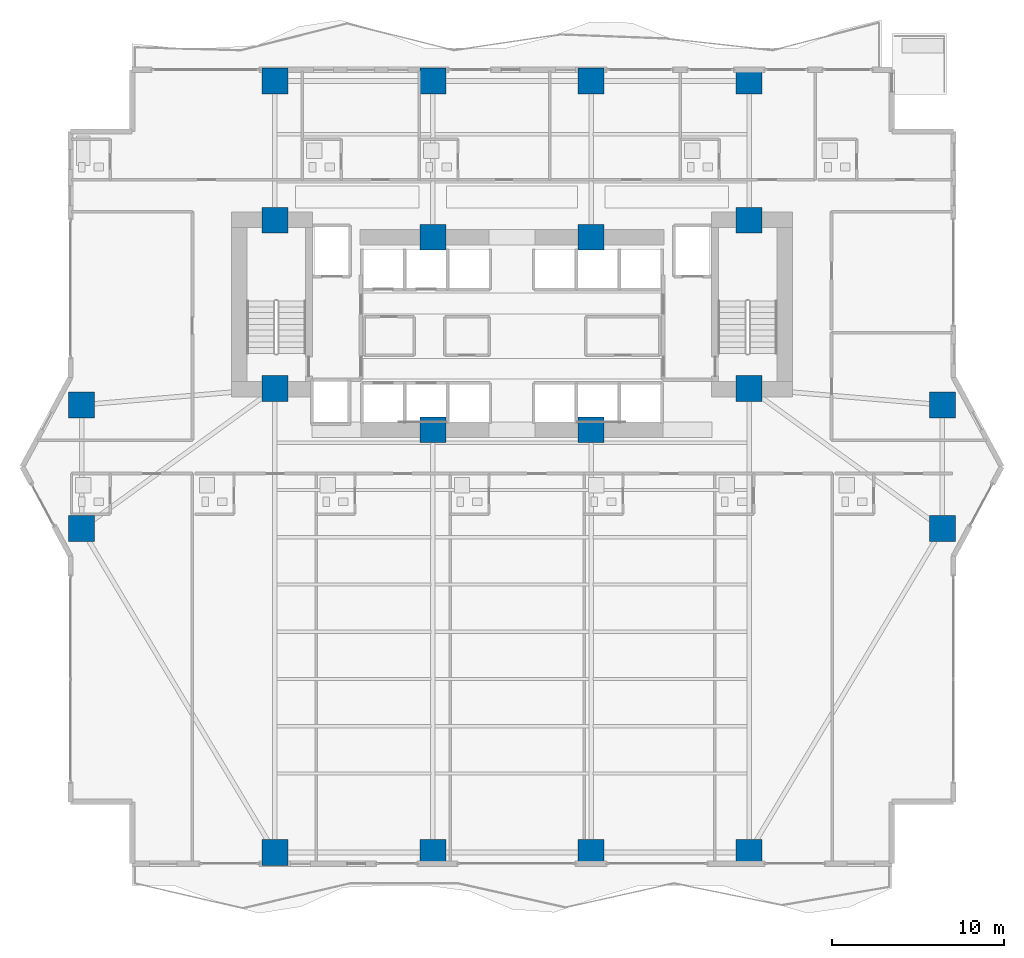
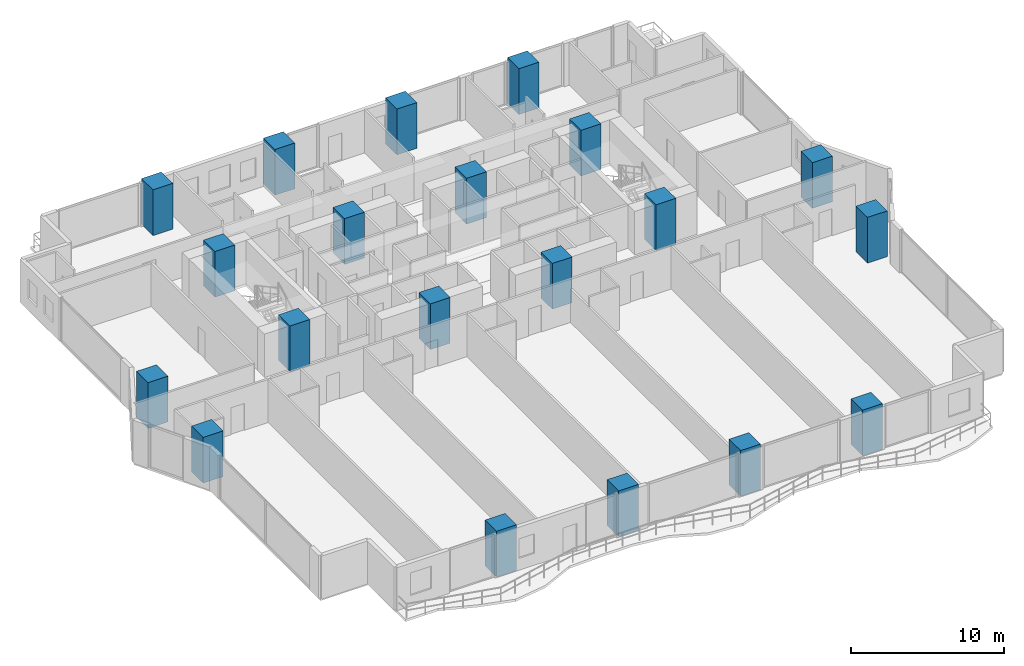
# One storey, part 1 of 28: 20 columns.
"""IFC4 building model written with IfcOpenShell, lengths in metres."""

from ifc_helpers import new_model, si_unit, direction, frame, origin, origin_2d, place, context, subcontext, project, spatial, rectangle, extrude, material, material_profile, profile_set, type_object, element, save


model = new_model("IFC4")

# Units and contexts
model_context = context("Model", 3, precision=1e-05, world=origin(), true_north=direction((0.0, 1.0)))
body_context = subcontext(model_context, "Body", "Model", "MODEL_VIEW")
ifc_project = project(units=[si_unit("LENGTHUNIT", "METRE"), si_unit("AREAUNIT", "SQUARE_METRE"), si_unit("VOLUMEUNIT", "CUBIC_METRE"), si_unit("PLANEANGLEUNIT", "RADIAN"), si_unit("MASSUNIT", "GRAM", prefix="KILO")], contexts=[model_context])

# Site, building, storey
site_placement = place(None, origin())
site = spatial("IfcSite", under=ifc_project, at=site_placement, CompositionType="ELEMENT")
building_placement = place(site_placement, origin())
building = spatial("IfcBuilding", under=site, at=building_placement, Name="Zuhayl Quay Hotel", CompositionType="ELEMENT")
storey_placement = place(building_placement, frame((0.0, 0.0, 56.800048828125)))
storey = spatial("IfcBuildingStorey", under=building, at=storey_placement, Name="L13", CompositionType="ELEMENT", Elevation=56.800048828125)

# Columns
ifc_material = material(Name="Concrete C70/85", Category="concrete")
ifc_material_profile_1 = material_profile(ifc_material, rectangle(XDim=1.5, YDim=1.5, at=origin_2d()), Name="RC1500X1500")
ifc_profile_set_1 = profile_set([ifc_material_profile_1], Name="Concrete C70/85")
column_type_1 = type_object("IfcColumnType", Name="CL_CC1_1500", PredefinedType="COLUMN", material=ifc_profile_set_1)
for number, where, z_axis, x_axis, name in (
    (1, (-13.800048828125, 14.35009765625, 0.0), (0.0, 0.0, 1.0), (1.0, 0.0, 0.0), "L13 Core Column CC_NW"),
    (2, (-4.60009765625, 13.35009765625, 0.0), (0.0, 0.0, 1.0), (1.0, 0.0, 0.0), "L13 Core Column CC_CNW"),
    (3, (4.60009765625, 13.35009765625, 0.0), (0.0, 0.0, 1.0), (1.0, 0.0, 0.0), "L13 Core Column CC_CNE"),
    (4, (13.800048828125, 14.35009765625, 0.0), (0.0, 0.0, 1.0), (1.0, 0.0, 0.0), "L13 Core Column CC_NE"),
    (5, (-13.800048828125, 4.550048828125, 0.0), (0.0, 0.0, 1.0), (1.0, 0.0, 0.0), "L13 Core Column CC_SW"),
    (6, (-4.60009765625, 2.14990234375, 0.0), (0.0, 0.0, 1.0), (1.0, 0.0, 0.0), "L13 Core Column CC_CSW"),
    (7, (4.60009765625, 2.14990234375, 0.0), (0.0, 0.0, 1.0), (1.0, 0.0, 0.0), "L13 Core Column CC_CSE"),
    (8, (13.800048828125, 4.550048828125, 0.0), (0.0, 0.0, 1.0), (1.0, 0.0, 0.0), "L13 Core Column CC_SE"),
):
    element("IfcColumn", number, at=place(storey_placement, frame(where, z_axis=z_axis, x_axis=x_axis)), inside=storey, type_object=column_type_1, Name=name, PredefinedType="COLUMN", context=body_context, shape_type="SweptSolid", body=[
        extrude(rectangle(XDim=1.5, YDim=1.5, at=origin_2d()), origin(), (0.0, 0.0, 1.0), 3.64990234375),
    ])
ifc_material_profile_2 = material_profile(ifc_material, rectangle(XDim=1.5, YDim=1.5, at=origin_2d()), Name="RC1500X1500")
ifc_profile_set_2 = profile_set([ifc_material_profile_2], Name="Concrete C70/85")
column_type_2 = type_object("IfcColumnType", Name="CL_MC1_1500", PredefinedType="COLUMN", material=ifc_profile_set_2)
for number, where, z_axis, x_axis, name in (
    (9, (-13.800048828125, -22.449951171875, 0.0), (0.0, 0.0, 1.0), (1.0, 0.0, 0.0), "L13 Mega-Column MC_S1"),
    (10, (-4.60009765625, -22.449951171875, 0.0), (0.0, 0.0, 1.0), (1.0, 0.0, 0.0), "L13 Mega-Column MC_S2"),
    (11, (4.60009765625, -22.449951171875, 0.0), (0.0, 0.0, 1.0), (1.0, 0.0, 0.0), "L13 Mega-Column MC_S3"),
    (12, (13.800048828125, -22.449951171875, 0.0), (0.0, 0.0, 1.0), (1.0, 0.0, 0.0), "L13 Mega-Column MC_S4"),
    (13, (-13.800048828125, 22.449951171875, 0.0), (0.0, 0.0, 1.0), (1.0, 0.0, 0.0), "L13 Mega-Column MC_N1"),
    (14, (-4.60009765625, 22.449951171875, 0.0), (0.0, 0.0, 1.0), (1.0, 0.0, 0.0), "L13 Mega-Column MC_N2"),
    (15, (4.60009765625, 22.449951171875, 0.0), (0.0, 0.0, 1.0), (1.0, 0.0, 0.0), "L13 Mega-Column MC_N3"),
    (16, (13.800048828125, 22.449951171875, 0.0), (0.0, 0.0, 1.0), (1.0, 0.0, 0.0), "L13 Mega-Column MC_N4"),
    (17, (-25.050048828125, -3.60009765625, 0.0), (0.0, 0.0, 1.0), (1.0, 0.0, 0.0), "L13 Mega-Column MC_W1"),
    (18, (-25.050048828125, 3.60009765625, 0.0), (0.0, 0.0, 1.0), (1.0, 0.0, 0.0), "L13 Mega-Column MC_W2"),
    (19, (25.050048828125, -3.60009765625, 0.0), (0.0, 0.0, 1.0), (1.0, 0.0, 0.0), "L13 Mega-Column MC_E1"),
    (20, (25.050048828125, 3.60009765625, 0.0), (0.0, 0.0, 1.0), (1.0, 0.0, 0.0), "L13 Mega-Column MC_E2"),
):
    element("IfcColumn", number, at=place(storey_placement, frame(where, z_axis=z_axis, x_axis=x_axis)), inside=storey, type_object=column_type_2, Name=name, PredefinedType="COLUMN", context=body_context, shape_type="SweptSolid", body=[
        extrude(rectangle(XDim=1.5, YDim=1.5, at=origin_2d()), origin(), (0.0, 0.0, 1.0), 3.64990234375),
    ])

save(model, "model.ifc")
